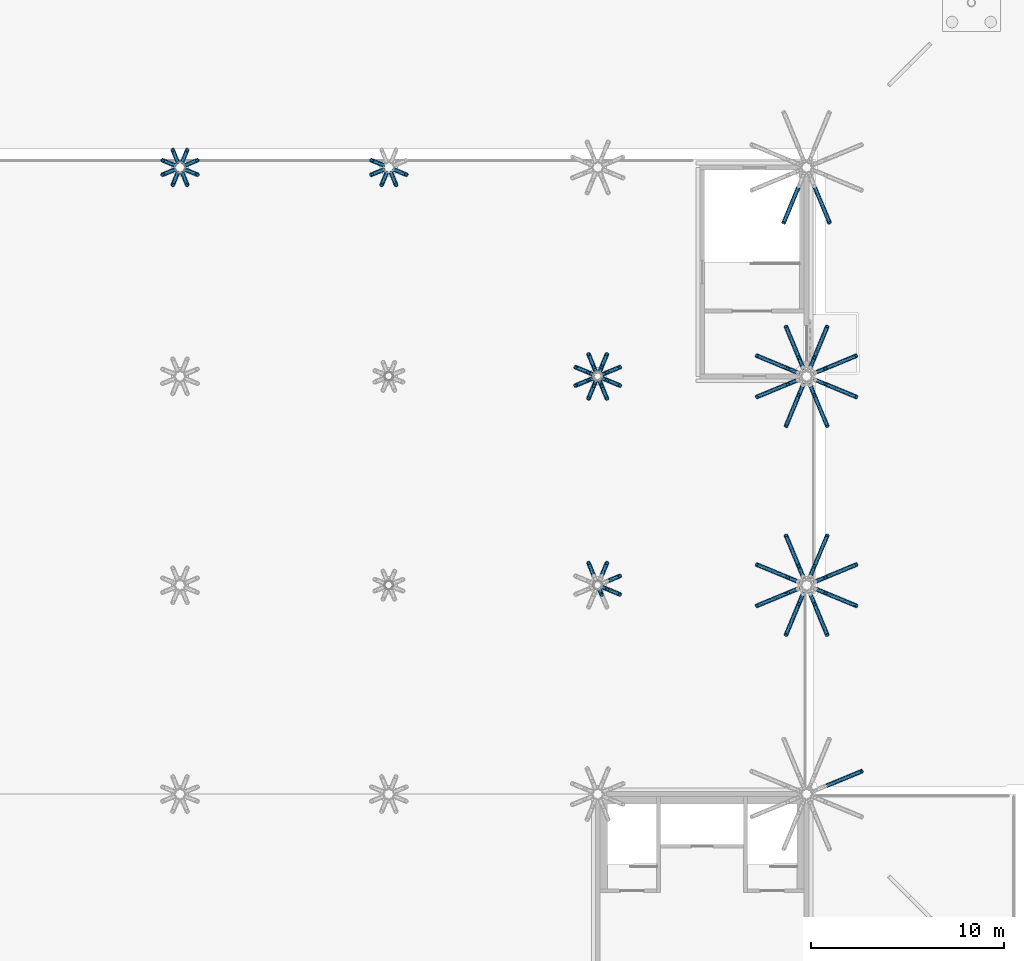
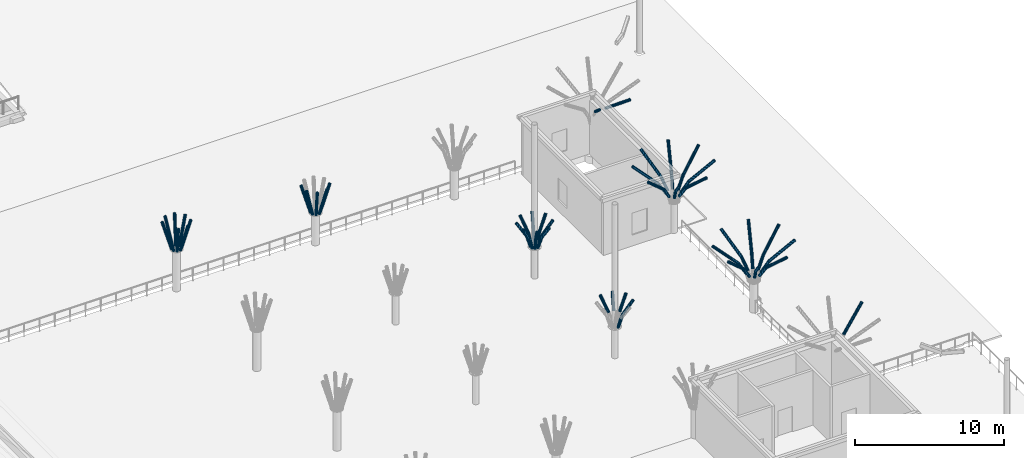
# One storey, part 26 of 91: 70 members.
"""IFC4 building model written with IfcOpenShell, lengths in metres."""

import ifcopenshell
import ifcopenshell.guid

model = None  # the IFC model being written
_history = None  # IfcOwnerHistory: only IFC2X3 demands one
_inside = {}  # id of a spatial element -> (the spatial element, [elements in it])
_under = {}  # id of a project, library or spatial element -> (it, [spatial elements below it])
_declared = {}  # id of a project -> (the project, [libraries it declares])
_typed = {}  # id of a type object -> (the type object, [elements of that type])
_made_of = {}  # id of a material, layer set ... -> (it, [elements and type objects made of it])


def new_model(schema):
    """Start an empty IFC model of exactly this schema.

    Asked for "IFC4X3", IfcOpenShell would pick the latest addendum, in which some entities
    have other attributes; the version numbers below select the first issue.
    IFC2X3 requires an IfcOwnerHistory on every rooted entity: one is made here for all.
    """
    global model, _history
    if schema == "IFC4X3":
        model = ifcopenshell.file(schema_version=(4, 3, 0, 0))
    else:
        model = ifcopenshell.file(schema=schema)
    _inside.clear()
    _under.clear()
    _declared.clear()
    _typed.clear()
    _made_of.clear()
    _history = None
    if model.schema == "IFC2X3":
        org = make("IfcOrganization", Name="unknown")
        user = make(
            "IfcPersonAndOrganization",
            ThePerson=make("IfcPerson", FamilyName="unknown"),
            TheOrganization=org,
        )
        app = make(
            "IfcApplication",
            ApplicationDeveloper=org,
            Version="unknown",
            ApplicationFullName="unknown",
            ApplicationIdentifier="unknown",
        )
        _history = make(
            "IfcOwnerHistory",
            OwningUser=user,
            OwningApplication=app,
            ChangeAction="ADDED",
            CreationDate=0,
        )
    return model


def make(cls, **values):
    """One entity of the class cls with the attributes given. An attribute that is None is left unset."""
    return model.create_entity(
        cls, **{name: value for name, value in values.items() if value is not None}
    )


def rooted(cls, **values):
    """An entity with a GlobalId (a new one), such as an element, a storey or a relation."""
    return make(cls, GlobalId=ifcopenshell.guid.new(), OwnerHistory=_history, **values)


def si_unit(unit_type, name, prefix=None):
    """IfcSIUnit, for example si_unit("LENGTHUNIT", "METRE", prefix="MILLI")."""
    return make("IfcSIUnit", UnitType=unit_type, Prefix=prefix, Name=name)


def assignment(units):
    """IfcUnitAssignment: the units of a project."""
    return None if units is None else make("IfcUnitAssignment", Units=units)


def point(xyz):
    """IfcCartesianPoint."""
    return None if xyz is None else make("IfcCartesianPoint", Coordinates=xyz)


def direction(xyz):
    """IfcDirection."""
    return None if xyz is None else make("IfcDirection", DirectionRatios=xyz)


def frame(location, z_axis=None, x_axis=None):
    """IfcAxis2Placement3D, a coordinate frame: its origin and axes. An axis left out is left unset."""
    return make(
        "IfcAxis2Placement3D",
        Location=point(location),
        Axis=direction(z_axis),
        RefDirection=direction(x_axis),
    )


def frame_2d(location, x_axis=None):
    """IfcAxis2Placement2D, a coordinate frame in the plane: its origin and x axis."""
    return make(
        "IfcAxis2Placement2D", Location=point(location), RefDirection=direction(x_axis)
    )


def origin():
    """The frame at (0, 0, 0) with its axes left unset."""
    return frame((0.0, 0.0, 0.0))


def origin_2d():
    """The frame at (0, 0) in the plane with its x axis left unset."""
    return frame_2d((0.0, 0.0))


def place(relative_to, where):
    """IfcLocalPlacement: puts the frame where relative to a parent placement (None: the world)."""
    return make(
        "IfcLocalPlacement", PlacementRelTo=relative_to, RelativePlacement=where
    )


def context(
    kind, dimensions, precision=None, world=None, true_north=None, identifier=None
):
    """IfcGeometricRepresentationContext, for example the 3D "Model" context."""
    return make(
        "IfcGeometricRepresentationContext",
        ContextIdentifier=identifier,
        ContextType=kind,
        CoordinateSpaceDimension=dimensions,
        Precision=precision,
        WorldCoordinateSystem=world,
        TrueNorth=true_north,
    )


def subcontext(parent, identifier, kind, view, scale=None):
    """IfcGeometricRepresentationSubContext, for example "Body" below "Model"."""
    return make(
        "IfcGeometricRepresentationSubContext",
        ContextIdentifier=identifier,
        ContextType=kind,
        ParentContext=parent,
        TargetScale=scale,
        TargetView=view,
    )


def project(units=None, contexts=None):
    """IfcProject with its units and contexts."""
    return rooted(
        "IfcProject",
        Name="project",
        RepresentationContexts=contexts,
        UnitsInContext=assignment(units),
    )


def spatial(cls, under=None, at=None, **own):
    """A site, building, storey or space (cls), placed at a placement, below another one or the project."""
    s = rooted(cls, ObjectPlacement=at, **own)
    if under is not None:
        _under.setdefault(under.id(), (under, []))[1].append(s)
    return s


def profile(cls, at=None, kind="AREA", **sizes):
    """A parametric profile (cls). Its sizes go by their IFC names, for example OverallWidth=200.0."""
    return make(cls, ProfileType=kind, Position=at, **sizes)


def hollow_circle(**sizes):
    """IfcCircleHollowProfileDef."""
    return profile("IfcCircleHollowProfileDef", **sizes)


def extrude(swept, where, along, depth):
    """IfcExtrudedAreaSolid: the profile swept, set in the frame where, extruded along a direction by depth."""
    return make(
        "IfcExtrudedAreaSolid",
        SweptArea=swept,
        Position=where,
        ExtrudedDirection=direction(along),
        Depth=depth,
    )


def shape(context_of_items, identifier, shape_type, items):
    """IfcShapeRepresentation: the items that make up one representation, for example the "Body"."""
    return make(
        "IfcShapeRepresentation",
        ContextOfItems=context_of_items,
        RepresentationIdentifier=identifier,
        RepresentationType=shape_type,
        Items=items,
    )


def material(Name=None, Category=None):
    """IfcMaterial."""
    return make("IfcMaterial", Name=Name, Category=Category)


def material_profile(
    of_material, cross_section, Name=None, Category=None, Priority=None
):
    """IfcMaterialProfile: a cross section and its material."""
    return make(
        "IfcMaterialProfile",
        Name=Name,
        Material=of_material,
        Profile=cross_section,
        Priority=Priority,
        Category=Category,
    )


def profile_set(profiles, Name=None, composite=None):
    """IfcMaterialProfileSet."""
    return make(
        "IfcMaterialProfileSet",
        Name=Name,
        MaterialProfiles=profiles,
        CompositeProfile=composite,
    )


def made_of(thing, what):
    """Note that an element or type object is made of a material, layer set ...; save() writes the relation."""
    if what is not None:
        _made_of.setdefault(what.id(), (what, []))[1].append(thing)
    return thing


def type_object(cls, material=None, **own):
    """A type object (cls), such as IfcWallType, which elements share."""
    return made_of(rooted(cls, **own), material)


def element(
    cls,
    number,
    at=None,
    inside=None,
    cuts=None,
    type_object=None,
    material=None,
    context=None,
    identifier="Body",
    shape_type=None,
    held_by="IfcProductDefinitionShape",
    body=None,
    shapes=None,
    **own,
):
    """One element of the class cls, such as IfcWall. Its Tag is "e" and its number.

    at: its placement. inside: the storey or other place that contains it. cuts: it is an
    opening in that element (IfcRelVoidsElement). A single representation is given by context,
    identifier, shape_type and body (its items); several are given by shapes. held_by: the class
    of the entity that holds the representations. save() writes the other relations.
    """
    e = rooted(cls, Tag="e%d" % number, ObjectPlacement=at, **own)
    if body is not None:
        shapes = [shape(context, identifier, shape_type, body)]
    if shapes is not None:
        e.Representation = make(held_by, Representations=shapes)
    if inside is not None:
        _inside.setdefault(inside.id(), (inside, []))[1].append(e)
    if cuts is not None:
        rooted(
            "IfcRelVoidsElement", RelatingBuildingElement=cuts, RelatedOpeningElement=e
        )
    if type_object is not None:
        _typed.setdefault(type_object.id(), (type_object, []))[1].append(e)
    return made_of(e, material)


def aggregate(whole, parts):
    """IfcRelAggregates: a whole, such as a stair, and the parts it consists of."""
    return rooted("IfcRelAggregates", RelatingObject=whole, RelatedObjects=parts)


def save(model, path):
    """Write the relations noted so far, then the file.

    IfcRelAggregates (storeys below a building ...), IfcRelContainedInSpatialStructure (elements
    in a storey), IfcRelDefinesByType, IfcRelAssociatesMaterial and IfcRelDeclares: one each for
    every whole, place, type object, material and project.
    """
    for whole, parts in _under.values():
        aggregate(whole, parts)
    for where, things in _inside.values():
        rooted(
            "IfcRelContainedInSpatialStructure",
            RelatedElements=things,
            RelatingStructure=where,
        )
    for kind, things in _typed.values():
        rooted("IfcRelDefinesByType", RelatedObjects=things, RelatingType=kind)
    for what, things in _made_of.values():
        rooted("IfcRelAssociatesMaterial", RelatedObjects=things, RelatingMaterial=what)
    for by, libraries in _declared.values():
        rooted("IfcRelDeclares", RelatingContext=by, RelatedDefinitions=libraries)
    model.write(path)


model = new_model("IFC4")

# Units and contexts
model_context = context("Model", 3, precision=1e-05, world=origin(), true_north=direction((0.0, 1.0)))
body_context = subcontext(model_context, "Body", "Model", "MODEL_VIEW")
ifc_project = project(units=[si_unit("LENGTHUNIT", "METRE"), si_unit("AREAUNIT", "SQUARE_METRE"), si_unit("VOLUMEUNIT", "CUBIC_METRE"), si_unit("PLANEANGLEUNIT", "RADIAN"), si_unit("MASSUNIT", "GRAM", prefix="KILO")], contexts=[model_context])

# Site, building, storey
site_placement = place(None, origin())
site = spatial("IfcSite", under=ifc_project, at=site_placement, CompositionType="ELEMENT")
building_placement = place(site_placement, origin())
building = spatial("IfcBuilding", under=site, at=building_placement, Name="Magnolia Steps Interchange", CompositionType="ELEMENT")
storey_placement = place(building_placement, origin())
storey = spatial("IfcBuildingStorey", under=building, at=storey_placement, Name="L00", CompositionType="ELEMENT", Elevation=0.0)

# Members
ifc_material = material(Name="Steel Q355B", Category="steel")
ifc_material_profile = material_profile(ifc_material, hollow_circle(Radius=0.109619140625, WallThickness=0.010009765625, at=origin_2d()), Name="CHS219x10")
ifc_profile_set = profile_set([ifc_material_profile], Name="Steel Q355B")
member_type = type_object("IfcMemberType", Name="Tree rib CHS219x10", PredefinedType="USERDEFINED", material=ifc_profile_set)
for number, where, z_axis, x_axis, name in (
    (1, (150.6953125, 74.92236328125, 3.351318359375), (0.254642214309, 0.105422495038, 0.961271782709), (-0.382516917404, 0.923948487688, 0.0), "Tree rib TC01D"),
    (2, (150.522216796875, 75.09521484375, 3.351318359375), (0.105524400356, 0.254639446561, 0.96126133449), (-0.923816299568, 0.382836054536, 0.0), "Tree rib TC01D"),
    (3, (150.277587890625, 75.09521484375, 3.351318359375), (-0.105422495038, 0.254642214309, 0.961271782709), (-0.923948487688, -0.382516917404, 0.0), "Tree rib TC01D"),
    (4, (150.104736328125, 74.92236328125, 3.351318359375), (-0.254642214309, 0.105422495038, 0.961271782709), (-0.382516917404, -0.923948487688, 0.0), "Tree rib TC01D"),
    (5, (150.104736328125, 74.677734375, 3.351318359375), (-0.254639446561, -0.105524400356, 0.96126133449), (0.382836054536, -0.923816299568, 0.0), "Tree rib TC01D"),
    (6, (150.277587890625, 74.5048828125, 3.351318359375), (-0.105422495038, -0.254642214309, 0.961271782709), (0.923948487688, -0.382516917404, 0.0), "Tree rib TC01D"),
    (7, (150.522216796875, 74.5048828125, 3.351318359375), (0.105524400356, -0.254639446561, 0.96126133449), (0.923816299568, 0.382836054536, 0.0), "Tree rib TC01D"),
    (8, (150.6953125, 74.677734375, 3.351318359375), (0.254639446561, -0.105524400356, 0.96126133449), (0.382836054536, 0.923816299568, 0.0), "Tree rib TC01D"),
):
    element("IfcMember", number, at=place(storey_placement, frame(where, z_axis=z_axis, x_axis=x_axis)), inside=storey, type_object=member_type, Name=name, ObjectType="TREE RIB", PredefinedType="USERDEFINED", context=body_context, shape_type="SweptSolid", body=[
        extrude(hollow_circle(Radius=0.109619140625, WallThickness=0.010009765625, at=origin_2d()), origin(), (0.0, 0.0, 1.0), 2.369140625),
    ])
for number, where, z_axis, x_axis, name in (
    (9, (160.90478515625, 74.92236328125, 2.563720703125), (-0.254616991526, 0.105412052744, 0.961279609043), (-0.382516917404, -0.923948487688, 0.0), "Tree rib TC02D"),
    (10, (160.90478515625, 74.677734375, 2.563720703125), (-0.254614224601, -0.105513948196, 0.961269162809), (0.382836054536, -0.923816299568, 0.0), "Tree rib TC02D"),
    (11, (161.07763671875, 74.5048828125, 2.563720703125), (-0.105412052744, -0.254616991526, 0.961279609043), (0.923948487688, -0.382516917404, 0.0), "Tree rib TC02D"),
    (12, (161.322265625, 74.5048828125, 2.563720703125), (0.105513948196, -0.254614224601, 0.961269162809), (0.923816299568, 0.382836054536, 0.0), "Tree rib TC02D"),
    (13, (161.4951171875, 74.677734375, 2.563720703125), (0.254614224601, -0.105513948196, 0.961269162809), (0.382836054536, 0.923816299568, 0.0), "Tree rib TC02D"),
):
    element("IfcMember", number, at=place(storey_placement, frame(where, z_axis=z_axis, x_axis=x_axis)), inside=storey, type_object=member_type, Name=name, ObjectType="TREE RIB", PredefinedType="USERDEFINED", context=body_context, shape_type="SweptSolid", body=[
        extrude(hollow_circle(Radius=0.109619140625, WallThickness=0.010009765625, at=origin_2d()), origin(), (0.0, 0.0, 1.0), 2.369384765625),
    ])
for number, where, z_axis, x_axis, name in (
    (14, (172.484619140625, 53.400634765625, 3.41259765625), (0.489529713984, 0.202756335046, 0.848086391664), (-0.382661666176, 0.923888548062, 0.0), "Tree rib TC03B"),
    (15, (172.20068359375, 53.6845703125, 3.41259765625), (0.202756335046, 0.489529713984, 0.848086391664), (-0.923888548062, 0.382661666176, 0.0), "Tree rib TC03B"),
    (16, (171.79931640625, 53.6845703125, 3.41259765625), (-0.202756335046, 0.489529713984, 0.848086391664), (-0.923888548062, -0.382661666176, 0.0), "Tree rib TC03B"),
):
    element("IfcMember", number, at=place(storey_placement, frame(where, z_axis=z_axis, x_axis=x_axis)), inside=storey, type_object=member_type, Name=name, ObjectType="TREE RIB", PredefinedType="USERDEFINED", context=body_context, shape_type="SweptSolid", body=[
        extrude(hollow_circle(Radius=0.109619140625, WallThickness=0.010009765625, at=origin_2d()), origin(), (0.0, 0.0, 1.0), 1.35693359375),
    ])
for number, where, z_axis, x_axis, name in (
    (17, (172.102783203125, 52.951904296875, 2.52001953125), (0.105438143135, -0.254523996397, 0.96130137482), (0.923865605463, 0.382717053503, 0.0), "Tree rib TC03B"),
    (18, (172.248046875, 53.09716796875, 2.52001953125), (0.254769875946, -0.105431083854, 0.961237013888), (0.382379867075, 0.924005214951, 0.0), "Tree rib TC03B"),
):
    element("IfcMember", number, at=place(storey_placement, frame(where, z_axis=z_axis, x_axis=x_axis)), inside=storey, type_object=member_type, Name=name, ObjectType="TREE RIB", PredefinedType="USERDEFINED", context=body_context, shape_type="SweptSolid", body=[
        extrude(hollow_circle(Radius=0.109619140625, WallThickness=0.010009765625, at=origin_2d()), origin(), (0.0, 0.0, 1.0), 0.928466796875),
    ])
member_1_placement = place(storey_placement, frame((172.484619140625, 52.999267578125, 3.41259765625), z_axis=(0.489529713984, -0.202756335046, 0.848086391664), x_axis=(0.382661666176, 0.923888548062, 0.0)))
element("IfcMember", 19, at=member_1_placement, inside=storey, type_object=member_type, Name="Tree rib TC03B", ObjectType="TREE RIB", PredefinedType="USERDEFINED", context=body_context, shape_type="SweptSolid", body=[
    extrude(hollow_circle(Radius=0.109619140625, WallThickness=0.010009765625, at=origin_2d()), origin(), (0.0, 0.0, 1.0), 1.35693359375),
])
member_2_placement = place(storey_placement, frame((172.248046875, 64.102783203125, 2.52001953125), z_axis=(0.254769875946, 0.105431083854, 0.961237013888), x_axis=(-0.382379867075, 0.924005214951, 0.0)))
element("IfcMember", 20, at=member_2_placement, inside=storey, type_object=member_type, Name="Tree rib TC03C", ObjectType="TREE RIB", PredefinedType="USERDEFINED", context=body_context, shape_type="SweptSolid", body=[
    extrude(hollow_circle(Radius=0.109619140625, WallThickness=0.010009765625, at=origin_2d()), origin(), (0.0, 0.0, 1.0), 0.928466796875),
])
member_3_placement = place(storey_placement, frame((172.484619140625, 64.20068359375, 3.41259765625), z_axis=(0.489529713984, 0.202756335046, 0.848086391664), x_axis=(-0.382661666176, 0.923888548062, 0.0)))
element("IfcMember", 21, at=member_3_placement, inside=storey, type_object=member_type, Name="Tree rib TC03C", ObjectType="TREE RIB", PredefinedType="USERDEFINED", context=body_context, shape_type="SweptSolid", body=[
    extrude(hollow_circle(Radius=0.109619140625, WallThickness=0.010009765625, at=origin_2d()), origin(), (0.0, 0.0, 1.0), 1.35693359375),
])
member_4_placement = place(storey_placement, frame((172.102783203125, 64.248046875, 2.52001953125), z_axis=(0.105431083854, 0.254769875946, 0.961237013888), x_axis=(-0.924005214951, 0.382379867075, 0.0)))
element("IfcMember", 22, at=member_4_placement, inside=storey, type_object=member_type, Name="Tree rib TC03C", ObjectType="TREE RIB", PredefinedType="USERDEFINED", context=body_context, shape_type="SweptSolid", body=[
    extrude(hollow_circle(Radius=0.109619140625, WallThickness=0.010009765625, at=origin_2d()), origin(), (0.0, 0.0, 1.0), 0.928466796875),
])
member_5_placement = place(storey_placement, frame((172.20068359375, 64.484619140625, 3.41259765625), z_axis=(0.202756335046, 0.489529713984, 0.848086391664), x_axis=(-0.923888548062, 0.382661666176, 0.0)))
element("IfcMember", 23, at=member_5_placement, inside=storey, type_object=member_type, Name="Tree rib TC03C", ObjectType="TREE RIB", PredefinedType="USERDEFINED", context=body_context, shape_type="SweptSolid", body=[
    extrude(hollow_circle(Radius=0.109619140625, WallThickness=0.010009765625, at=origin_2d()), origin(), (0.0, 0.0, 1.0), 1.35693359375),
])
member_6_placement = place(storey_placement, frame((171.897216796875, 64.248046875, 2.52001953125), z_axis=(-0.105431083854, 0.254769875946, 0.961237013888), x_axis=(-0.924005214951, -0.382379867075, 0.0)))
element("IfcMember", 24, at=member_6_placement, inside=storey, type_object=member_type, Name="Tree rib TC03C", ObjectType="TREE RIB", PredefinedType="USERDEFINED", context=body_context, shape_type="SweptSolid", body=[
    extrude(hollow_circle(Radius=0.109619140625, WallThickness=0.010009765625, at=origin_2d()), origin(), (0.0, 0.0, 1.0), 0.928466796875),
])
member_7_placement = place(storey_placement, frame((171.79931640625, 64.484619140625, 3.41259765625), z_axis=(-0.202756335046, 0.489529713984, 0.848086391664), x_axis=(-0.923888548062, -0.382661666176, 0.0)))
element("IfcMember", 25, at=member_7_placement, inside=storey, type_object=member_type, Name="Tree rib TC03C", ObjectType="TREE RIB", PredefinedType="USERDEFINED", context=body_context, shape_type="SweptSolid", body=[
    extrude(hollow_circle(Radius=0.109619140625, WallThickness=0.010009765625, at=origin_2d()), origin(), (0.0, 0.0, 1.0), 1.35693359375),
])
member_8_placement = place(storey_placement, frame((171.751953125, 64.102783203125, 2.52001953125), z_axis=(-0.254769875946, 0.105431083854, 0.961237013888), x_axis=(-0.382379867075, -0.924005214951, 0.0)))
element("IfcMember", 26, at=member_8_placement, inside=storey, type_object=member_type, Name="Tree rib TC03C", ObjectType="TREE RIB", PredefinedType="USERDEFINED", context=body_context, shape_type="SweptSolid", body=[
    extrude(hollow_circle(Radius=0.109619140625, WallThickness=0.010009765625, at=origin_2d()), origin(), (0.0, 0.0, 1.0), 0.928466796875),
])
member_9_placement = place(storey_placement, frame((171.515380859375, 64.20068359375, 3.41259765625), z_axis=(-0.489529713984, 0.202756335046, 0.848086391664), x_axis=(-0.382661666176, -0.923888548062, 0.0)))
element("IfcMember", 27, at=member_9_placement, inside=storey, type_object=member_type, Name="Tree rib TC03C", ObjectType="TREE RIB", PredefinedType="USERDEFINED", context=body_context, shape_type="SweptSolid", body=[
    extrude(hollow_circle(Radius=0.109619140625, WallThickness=0.010009765625, at=origin_2d()), origin(), (0.0, 0.0, 1.0), 1.35693359375),
])
member_10_placement = place(storey_placement, frame((171.751953125, 63.897216796875, 2.52001953125), z_axis=(-0.254769875946, -0.105431083854, 0.961237013888), x_axis=(0.382379867075, -0.924005214951, 0.0)))
element("IfcMember", 28, at=member_10_placement, inside=storey, type_object=member_type, Name="Tree rib TC03C", ObjectType="TREE RIB", PredefinedType="USERDEFINED", context=body_context, shape_type="SweptSolid", body=[
    extrude(hollow_circle(Radius=0.109619140625, WallThickness=0.010009765625, at=origin_2d()), origin(), (0.0, 0.0, 1.0), 0.928466796875),
])
member_11_placement = place(storey_placement, frame((171.515380859375, 63.79931640625, 3.41259765625), z_axis=(-0.489529713984, -0.202756335046, 0.848086391664), x_axis=(0.382661666176, -0.923888548062, 0.0)))
element("IfcMember", 29, at=member_11_placement, inside=storey, type_object=member_type, Name="Tree rib TC03C", ObjectType="TREE RIB", PredefinedType="USERDEFINED", context=body_context, shape_type="SweptSolid", body=[
    extrude(hollow_circle(Radius=0.109619140625, WallThickness=0.010009765625, at=origin_2d()), origin(), (0.0, 0.0, 1.0), 1.35693359375),
])
member_12_placement = place(storey_placement, frame((171.897216796875, 63.751953125, 2.52001953125), z_axis=(-0.105431083854, -0.254769875946, 0.961237013888), x_axis=(0.924005214951, -0.382379867075, 0.0)))
element("IfcMember", 30, at=member_12_placement, inside=storey, type_object=member_type, Name="Tree rib TC03C", ObjectType="TREE RIB", PredefinedType="USERDEFINED", context=body_context, shape_type="SweptSolid", body=[
    extrude(hollow_circle(Radius=0.109619140625, WallThickness=0.010009765625, at=origin_2d()), origin(), (0.0, 0.0, 1.0), 0.928466796875),
])
member_13_placement = place(storey_placement, frame((171.79931640625, 63.515380859375, 3.41259765625), z_axis=(-0.202756335046, -0.489529713984, 0.848086391664), x_axis=(0.923888548062, -0.382661666176, 0.0)))
element("IfcMember", 31, at=member_13_placement, inside=storey, type_object=member_type, Name="Tree rib TC03C", ObjectType="TREE RIB", PredefinedType="USERDEFINED", context=body_context, shape_type="SweptSolid", body=[
    extrude(hollow_circle(Radius=0.109619140625, WallThickness=0.010009765625, at=origin_2d()), origin(), (0.0, 0.0, 1.0), 1.35693359375),
])
member_14_placement = place(storey_placement, frame((172.102783203125, 63.751953125, 2.52001953125), z_axis=(0.105431083854, -0.254769875946, 0.961237013888), x_axis=(0.924005214951, 0.382379867075, 0.0)))
element("IfcMember", 32, at=member_14_placement, inside=storey, type_object=member_type, Name="Tree rib TC03C", ObjectType="TREE RIB", PredefinedType="USERDEFINED", context=body_context, shape_type="SweptSolid", body=[
    extrude(hollow_circle(Radius=0.109619140625, WallThickness=0.010009765625, at=origin_2d()), origin(), (0.0, 0.0, 1.0), 0.928466796875),
])
member_15_placement = place(storey_placement, frame((172.20068359375, 63.515380859375, 3.41259765625), z_axis=(0.202756335046, -0.489529713984, 0.848086391664), x_axis=(0.923888548062, 0.382661666176, 0.0)))
element("IfcMember", 33, at=member_15_placement, inside=storey, type_object=member_type, Name="Tree rib TC03C", ObjectType="TREE RIB", PredefinedType="USERDEFINED", context=body_context, shape_type="SweptSolid", body=[
    extrude(hollow_circle(Radius=0.109619140625, WallThickness=0.010009765625, at=origin_2d()), origin(), (0.0, 0.0, 1.0), 1.35693359375),
])
member_16_placement = place(storey_placement, frame((172.248046875, 63.897216796875, 2.52001953125), z_axis=(0.254769875946, -0.105431083854, 0.961237013888), x_axis=(0.382379867075, 0.924005214951, 0.0)))
element("IfcMember", 34, at=member_16_placement, inside=storey, type_object=member_type, Name="Tree rib TC03C", ObjectType="TREE RIB", PredefinedType="USERDEFINED", context=body_context, shape_type="SweptSolid", body=[
    extrude(hollow_circle(Radius=0.109619140625, WallThickness=0.010009765625, at=origin_2d()), origin(), (0.0, 0.0, 1.0), 0.928466796875),
])
member_17_placement = place(storey_placement, frame((172.484619140625, 63.79931640625, 3.41259765625), z_axis=(0.489529713984, -0.202756335046, 0.848086391664), x_axis=(0.382661666176, 0.923888548062, 0.0)))
element("IfcMember", 35, at=member_17_placement, inside=storey, type_object=member_type, Name="Tree rib TC03C", ObjectType="TREE RIB", PredefinedType="USERDEFINED", context=body_context, shape_type="SweptSolid", body=[
    extrude(hollow_circle(Radius=0.109619140625, WallThickness=0.010009765625, at=origin_2d()), origin(), (0.0, 0.0, 1.0), 1.35693359375),
])
member_18_placement = place(storey_placement, frame((183.77587890625, 42.80419921875, 4.011474609375), z_axis=(0.734897405832, 0.304354330344, 0.606048054615), x_axis=(-0.382629625512, 0.923901818204, 0.0)))
element("IfcMember", 36, at=member_18_placement, inside=storey, type_object=member_type, Name="Tree rib TC04A", ObjectType="TREE RIB", PredefinedType="USERDEFINED", context=body_context, shape_type="SweptSolid", body=[
    extrude(hollow_circle(Radius=0.109619140625, WallThickness=0.010009765625, at=origin_2d()), origin(), (0.0, 0.0, 1.0), 2.5693359375),
])
member_19_placement = place(storey_placement, frame((183.248046875, 53.385498046875, 3.0966796875), z_axis=(0.489382450029, 0.202815298439, 0.848157280416), x_axis=(-0.382854944576, 0.923808471175, 0.0)))
element("IfcMember", 37, at=member_19_placement, inside=storey, type_object=member_type, Name="Tree rib TC04B", ObjectType="TREE RIB", PredefinedType="USERDEFINED", context=body_context, shape_type="SweptSolid", body=[
    extrude(hollow_circle(Radius=0.109619140625, WallThickness=0.010009765625, at=origin_2d()), origin(), (0.0, 0.0, 1.0), 1.07861328125),
])
member_20_placement = place(storey_placement, frame((183.77587890625, 53.604248046875, 4.011474609375), z_axis=(0.68776747235, 0.284947193263, 0.667668331606), x_axis=(-0.382757473052, 0.923848860379, 0.0)))
element("IfcMember", 38, at=member_20_placement, inside=storey, type_object=member_type, Name="Tree rib TC04B", ObjectType="TREE RIB", PredefinedType="USERDEFINED", context=body_context, shape_type="SweptSolid", body=[
    extrude(hollow_circle(Radius=0.109619140625, WallThickness=0.010009765625, at=origin_2d()), origin(), (0.0, 0.0, 1.0), 2.332275390625),
])
member_21_placement = place(storey_placement, frame((182.985595703125, 53.64794921875, 3.0966796875), z_axis=(0.202792830148, 0.489554566528, 0.848063319825), x_axis=(-0.923871065891, 0.382703871955, 0.0)))
element("IfcMember", 39, at=member_21_placement, inside=storey, type_object=member_type, Name="Tree rib TC04B", ObjectType="TREE RIB", PredefinedType="USERDEFINED", context=body_context, shape_type="SweptSolid", body=[
    extrude(hollow_circle(Radius=0.109619140625, WallThickness=0.010009765625, at=origin_2d()), origin(), (0.0, 0.0, 1.0), 1.07861328125),
])
member_22_placement = place(storey_placement, frame((183.204345703125, 54.176025390625, 4.011474609375), z_axis=(0.284851005663, 0.687787985007, 0.667688244806), x_axis=(-0.923898578583, 0.382637447843, 0.0)))
element("IfcMember", 40, at=member_22_placement, inside=storey, type_object=member_type, Name="Tree rib TC04B", ObjectType="TREE RIB", PredefinedType="USERDEFINED", context=body_context, shape_type="SweptSolid", body=[
    extrude(hollow_circle(Radius=0.109619140625, WallThickness=0.010009765625, at=origin_2d()), origin(), (0.0, 0.0, 1.0), 2.33203125),
])
member_23_placement = place(storey_placement, frame((182.614501953125, 53.64794921875, 3.0966796875), z_axis=(-0.202792830148, 0.489554566528, 0.848063319825), x_axis=(-0.923871065891, -0.382703871955, 0.0)))
element("IfcMember", 41, at=member_23_placement, inside=storey, type_object=member_type, Name="Tree rib TC04B", ObjectType="TREE RIB", PredefinedType="USERDEFINED", context=body_context, shape_type="SweptSolid", body=[
    extrude(hollow_circle(Radius=0.109619140625, WallThickness=0.010009765625, at=origin_2d()), origin(), (0.0, 0.0, 1.0), 1.07861328125),
])
member_24_placement = place(storey_placement, frame((182.395751953125, 54.176025390625, 4.011474609375), z_axis=(-0.284947193263, 0.68776747235, 0.667668331606), x_axis=(-0.923848860379, -0.382757473052, 0.0)))
element("IfcMember", 42, at=member_24_placement, inside=storey, type_object=member_type, Name="Tree rib TC04B", ObjectType="TREE RIB", PredefinedType="USERDEFINED", context=body_context, shape_type="SweptSolid", body=[
    extrude(hollow_circle(Radius=0.109619140625, WallThickness=0.010009765625, at=origin_2d()), origin(), (0.0, 0.0, 1.0), 2.332275390625),
])
member_25_placement = place(storey_placement, frame((182.35205078125, 53.385498046875, 3.0966796875), z_axis=(-0.489554566528, 0.202792830148, 0.848063319825), x_axis=(-0.382703871955, -0.923871065891, 0.0)))
element("IfcMember", 43, at=member_25_placement, inside=storey, type_object=member_type, Name="Tree rib TC04B", ObjectType="TREE RIB", PredefinedType="USERDEFINED", context=body_context, shape_type="SweptSolid", body=[
    extrude(hollow_circle(Radius=0.109619140625, WallThickness=0.010009765625, at=origin_2d()), origin(), (0.0, 0.0, 1.0), 1.07861328125),
])
member_26_placement = place(storey_placement, frame((181.823974609375, 53.604248046875, 4.011474609375), z_axis=(-0.68776747235, 0.284947193263, 0.667668331606), x_axis=(-0.382757473052, -0.923848860379, 0.0)))
element("IfcMember", 44, at=member_26_placement, inside=storey, type_object=member_type, Name="Tree rib TC04B", ObjectType="TREE RIB", PredefinedType="USERDEFINED", context=body_context, shape_type="SweptSolid", body=[
    extrude(hollow_circle(Radius=0.109619140625, WallThickness=0.010009765625, at=origin_2d()), origin(), (0.0, 0.0, 1.0), 2.332275390625),
])
member_27_placement = place(storey_placement, frame((182.35205078125, 53.014404296875, 3.0966796875), z_axis=(-0.489554566528, -0.202792830148, 0.848063319825), x_axis=(0.382703871955, -0.923871065891, 0.0)))
element("IfcMember", 45, at=member_27_placement, inside=storey, type_object=member_type, Name="Tree rib TC04B", ObjectType="TREE RIB", PredefinedType="USERDEFINED", context=body_context, shape_type="SweptSolid", body=[
    extrude(hollow_circle(Radius=0.109619140625, WallThickness=0.010009765625, at=origin_2d()), origin(), (0.0, 0.0, 1.0), 1.07861328125),
])
member_28_placement = place(storey_placement, frame((181.823974609375, 52.795654296875, 4.011474609375), z_axis=(-0.687787985007, -0.284851005663, 0.667688244806), x_axis=(0.382637447843, -0.923898578583, 0.0)))
element("IfcMember", 46, at=member_28_placement, inside=storey, type_object=member_type, Name="Tree rib TC04B", ObjectType="TREE RIB", PredefinedType="USERDEFINED", context=body_context, shape_type="SweptSolid", body=[
    extrude(hollow_circle(Radius=0.109619140625, WallThickness=0.010009765625, at=origin_2d()), origin(), (0.0, 0.0, 1.0), 2.33203125),
])
member_29_placement = place(storey_placement, frame((182.614501953125, 52.751953125, 3.0966796875), z_axis=(-0.202815298439, -0.489382450029, 0.848157280416), x_axis=(0.923808471175, -0.382854944576, 0.0)))
element("IfcMember", 47, at=member_29_placement, inside=storey, type_object=member_type, Name="Tree rib TC04B", ObjectType="TREE RIB", PredefinedType="USERDEFINED", context=body_context, shape_type="SweptSolid", body=[
    extrude(hollow_circle(Radius=0.109619140625, WallThickness=0.010009765625, at=origin_2d()), origin(), (0.0, 0.0, 1.0), 1.07861328125),
])
member_30_placement = place(storey_placement, frame((182.395751953125, 52.22412109375, 4.011474609375), z_axis=(-0.284947193263, -0.68776747235, 0.667668331606), x_axis=(0.923848860379, -0.382757473052, 0.0)))
element("IfcMember", 48, at=member_30_placement, inside=storey, type_object=member_type, Name="Tree rib TC04B", ObjectType="TREE RIB", PredefinedType="USERDEFINED", context=body_context, shape_type="SweptSolid", body=[
    extrude(hollow_circle(Radius=0.109619140625, WallThickness=0.010009765625, at=origin_2d()), origin(), (0.0, 0.0, 1.0), 2.332275390625),
])
member_31_placement = place(storey_placement, frame((182.985595703125, 52.751953125, 3.0966796875), z_axis=(0.202815298439, -0.489382450029, 0.848157280416), x_axis=(0.923808471175, 0.382854944576, 0.0)))
element("IfcMember", 49, at=member_31_placement, inside=storey, type_object=member_type, Name="Tree rib TC04B", ObjectType="TREE RIB", PredefinedType="USERDEFINED", context=body_context, shape_type="SweptSolid", body=[
    extrude(hollow_circle(Radius=0.109619140625, WallThickness=0.010009765625, at=origin_2d()), origin(), (0.0, 0.0, 1.0), 1.07861328125),
])
member_32_placement = place(storey_placement, frame((183.204345703125, 52.22412109375, 4.011474609375), z_axis=(0.284851005663, -0.687787985007, 0.667688244806), x_axis=(0.923898578583, 0.382637447843, 0.0)))
element("IfcMember", 50, at=member_32_placement, inside=storey, type_object=member_type, Name="Tree rib TC04B", ObjectType="TREE RIB", PredefinedType="USERDEFINED", context=body_context, shape_type="SweptSolid", body=[
    extrude(hollow_circle(Radius=0.109619140625, WallThickness=0.010009765625, at=origin_2d()), origin(), (0.0, 0.0, 1.0), 2.33203125),
])
member_33_placement = place(storey_placement, frame((183.248046875, 53.014404296875, 3.0966796875), z_axis=(0.489382450029, -0.202815298439, 0.848157280416), x_axis=(0.382854944576, 0.923808471175, 0.0)))
element("IfcMember", 51, at=member_33_placement, inside=storey, type_object=member_type, Name="Tree rib TC04B", ObjectType="TREE RIB", PredefinedType="USERDEFINED", context=body_context, shape_type="SweptSolid", body=[
    extrude(hollow_circle(Radius=0.109619140625, WallThickness=0.010009765625, at=origin_2d()), origin(), (0.0, 0.0, 1.0), 1.07861328125),
])
member_34_placement = place(storey_placement, frame((183.77587890625, 52.795654296875, 4.011474609375), z_axis=(0.687787985007, -0.284851005663, 0.667688244806), x_axis=(0.382637447843, 0.923898578583, 0.0)))
element("IfcMember", 52, at=member_34_placement, inside=storey, type_object=member_type, Name="Tree rib TC04B", ObjectType="TREE RIB", PredefinedType="USERDEFINED", context=body_context, shape_type="SweptSolid", body=[
    extrude(hollow_circle(Radius=0.109619140625, WallThickness=0.010009765625, at=origin_2d()), origin(), (0.0, 0.0, 1.0), 2.33203125),
])
member_35_placement = place(storey_placement, frame((183.248046875, 64.185546875, 3.0966796875), z_axis=(0.489382450029, 0.202815298439, 0.848157280416), x_axis=(-0.382854944576, 0.923808471175, 0.0)))
element("IfcMember", 53, at=member_35_placement, inside=storey, type_object=member_type, Name="Tree rib TC04C", ObjectType="TREE RIB", PredefinedType="USERDEFINED", context=body_context, shape_type="SweptSolid", body=[
    extrude(hollow_circle(Radius=0.109619140625, WallThickness=0.010009765625, at=origin_2d()), origin(), (0.0, 0.0, 1.0), 1.07861328125),
])
member_36_placement = place(storey_placement, frame((183.77587890625, 64.404296875, 4.011474609375), z_axis=(0.687787985007, 0.284851005663, 0.667688244806), x_axis=(-0.382637447843, 0.923898578583, 0.0)))
element("IfcMember", 54, at=member_36_placement, inside=storey, type_object=member_type, Name="Tree rib TC04C", ObjectType="TREE RIB", PredefinedType="USERDEFINED", context=body_context, shape_type="SweptSolid", body=[
    extrude(hollow_circle(Radius=0.109619140625, WallThickness=0.010009765625, at=origin_2d()), origin(), (0.0, 0.0, 1.0), 2.33203125),
])
member_37_placement = place(storey_placement, frame((182.985595703125, 64.447998046875, 3.0966796875), z_axis=(0.202792830148, 0.489554566528, 0.848063319825), x_axis=(-0.923871065891, 0.382703871955, 0.0)))
element("IfcMember", 55, at=member_37_placement, inside=storey, type_object=member_type, Name="Tree rib TC04C", ObjectType="TREE RIB", PredefinedType="USERDEFINED", context=body_context, shape_type="SweptSolid", body=[
    extrude(hollow_circle(Radius=0.109619140625, WallThickness=0.010009765625, at=origin_2d()), origin(), (0.0, 0.0, 1.0), 1.07861328125),
])
member_38_placement = place(storey_placement, frame((183.204345703125, 64.97607421875, 4.011474609375), z_axis=(0.284851005663, 0.687787985007, 0.667688244806), x_axis=(-0.923898578583, 0.382637447843, 0.0)))
element("IfcMember", 56, at=member_38_placement, inside=storey, type_object=member_type, Name="Tree rib TC04C", ObjectType="TREE RIB", PredefinedType="USERDEFINED", context=body_context, shape_type="SweptSolid", body=[
    extrude(hollow_circle(Radius=0.109619140625, WallThickness=0.010009765625, at=origin_2d()), origin(), (0.0, 0.0, 1.0), 2.33203125),
])
member_39_placement = place(storey_placement, frame((182.614501953125, 64.447998046875, 3.0966796875), z_axis=(-0.202792830148, 0.489554566528, 0.848063319825), x_axis=(-0.923871065891, -0.382703871955, 0.0)))
element("IfcMember", 57, at=member_39_placement, inside=storey, type_object=member_type, Name="Tree rib TC04C", ObjectType="TREE RIB", PredefinedType="USERDEFINED", context=body_context, shape_type="SweptSolid", body=[
    extrude(hollow_circle(Radius=0.109619140625, WallThickness=0.010009765625, at=origin_2d()), origin(), (0.0, 0.0, 1.0), 1.07861328125),
])
member_40_placement = place(storey_placement, frame((182.395751953125, 64.97607421875, 4.011474609375), z_axis=(-0.284947193263, 0.68776747235, 0.667668331606), x_axis=(-0.923848860379, -0.382757473052, 0.0)))
element("IfcMember", 58, at=member_40_placement, inside=storey, type_object=member_type, Name="Tree rib TC04C", ObjectType="TREE RIB", PredefinedType="USERDEFINED", context=body_context, shape_type="SweptSolid", body=[
    extrude(hollow_circle(Radius=0.109619140625, WallThickness=0.010009765625, at=origin_2d()), origin(), (0.0, 0.0, 1.0), 2.332275390625),
])
member_41_placement = place(storey_placement, frame((182.35205078125, 64.185546875, 3.0966796875), z_axis=(-0.489554566528, 0.202792830148, 0.848063319825), x_axis=(-0.382703871955, -0.923871065891, 0.0)))
element("IfcMember", 59, at=member_41_placement, inside=storey, type_object=member_type, Name="Tree rib TC04C", ObjectType="TREE RIB", PredefinedType="USERDEFINED", context=body_context, shape_type="SweptSolid", body=[
    extrude(hollow_circle(Radius=0.109619140625, WallThickness=0.010009765625, at=origin_2d()), origin(), (0.0, 0.0, 1.0), 1.07861328125),
])
member_42_placement = place(storey_placement, frame((181.823974609375, 64.404296875, 4.011474609375), z_axis=(-0.687787985007, 0.284851005663, 0.667688244806), x_axis=(-0.382637447843, -0.923898578583, 0.0)))
element("IfcMember", 60, at=member_42_placement, inside=storey, type_object=member_type, Name="Tree rib TC04C", ObjectType="TREE RIB", PredefinedType="USERDEFINED", context=body_context, shape_type="SweptSolid", body=[
    extrude(hollow_circle(Radius=0.109619140625, WallThickness=0.010009765625, at=origin_2d()), origin(), (0.0, 0.0, 1.0), 2.33203125),
])
member_43_placement = place(storey_placement, frame((182.35205078125, 63.814453125, 3.0966796875), z_axis=(-0.489554566528, -0.202792830148, 0.848063319825), x_axis=(0.382703871955, -0.923871065891, 0.0)))
element("IfcMember", 61, at=member_43_placement, inside=storey, type_object=member_type, Name="Tree rib TC04C", ObjectType="TREE RIB", PredefinedType="USERDEFINED", context=body_context, shape_type="SweptSolid", body=[
    extrude(hollow_circle(Radius=0.109619140625, WallThickness=0.010009765625, at=origin_2d()), origin(), (0.0, 0.0, 1.0), 1.07861328125),
])
member_44_placement = place(storey_placement, frame((181.823974609375, 63.595703125, 4.011474609375), z_axis=(-0.687787985007, -0.284851005663, 0.667688244806), x_axis=(0.382637447843, -0.923898578583, 0.0)))
element("IfcMember", 62, at=member_44_placement, inside=storey, type_object=member_type, Name="Tree rib TC04C", ObjectType="TREE RIB", PredefinedType="USERDEFINED", context=body_context, shape_type="SweptSolid", body=[
    extrude(hollow_circle(Radius=0.109619140625, WallThickness=0.010009765625, at=origin_2d()), origin(), (0.0, 0.0, 1.0), 2.33203125),
])
member_45_placement = place(storey_placement, frame((182.614501953125, 63.552001953125, 3.0966796875), z_axis=(-0.202792830148, -0.489554566528, 0.848063319825), x_axis=(0.923871065891, -0.382703871955, 0.0)))
element("IfcMember", 63, at=member_45_placement, inside=storey, type_object=member_type, Name="Tree rib TC04C", ObjectType="TREE RIB", PredefinedType="USERDEFINED", context=body_context, shape_type="SweptSolid", body=[
    extrude(hollow_circle(Radius=0.109619140625, WallThickness=0.010009765625, at=origin_2d()), origin(), (0.0, 0.0, 1.0), 1.07861328125),
])
member_46_placement = place(storey_placement, frame((182.395751953125, 63.02392578125, 4.011474609375), z_axis=(-0.284947193263, -0.68776747235, 0.667668331606), x_axis=(0.923848860379, -0.382757473052, 0.0)))
element("IfcMember", 64, at=member_46_placement, inside=storey, type_object=member_type, Name="Tree rib TC04C", ObjectType="TREE RIB", PredefinedType="USERDEFINED", context=body_context, shape_type="SweptSolid", body=[
    extrude(hollow_circle(Radius=0.109619140625, WallThickness=0.010009765625, at=origin_2d()), origin(), (0.0, 0.0, 1.0), 2.332275390625),
])
member_47_placement = place(storey_placement, frame((182.985595703125, 63.552001953125, 3.0966796875), z_axis=(0.202792830148, -0.489554566528, 0.848063319825), x_axis=(0.923871065891, 0.382703871955, 0.0)))
element("IfcMember", 65, at=member_47_placement, inside=storey, type_object=member_type, Name="Tree rib TC04C", ObjectType="TREE RIB", PredefinedType="USERDEFINED", context=body_context, shape_type="SweptSolid", body=[
    extrude(hollow_circle(Radius=0.109619140625, WallThickness=0.010009765625, at=origin_2d()), origin(), (0.0, 0.0, 1.0), 1.07861328125),
])
member_48_placement = place(storey_placement, frame((183.204345703125, 63.02392578125, 4.011474609375), z_axis=(0.284851005663, -0.687787985007, 0.667688244806), x_axis=(0.923898578583, 0.382637447843, 0.0)))
element("IfcMember", 66, at=member_48_placement, inside=storey, type_object=member_type, Name="Tree rib TC04C", ObjectType="TREE RIB", PredefinedType="USERDEFINED", context=body_context, shape_type="SweptSolid", body=[
    extrude(hollow_circle(Radius=0.109619140625, WallThickness=0.010009765625, at=origin_2d()), origin(), (0.0, 0.0, 1.0), 2.33203125),
])
member_49_placement = place(storey_placement, frame((183.248046875, 63.814453125, 3.0966796875), z_axis=(0.489382450029, -0.202815298439, 0.848157280416), x_axis=(0.382854944576, 0.923808471175, 0.0)))
element("IfcMember", 67, at=member_49_placement, inside=storey, type_object=member_type, Name="Tree rib TC04C", ObjectType="TREE RIB", PredefinedType="USERDEFINED", context=body_context, shape_type="SweptSolid", body=[
    extrude(hollow_circle(Radius=0.109619140625, WallThickness=0.010009765625, at=origin_2d()), origin(), (0.0, 0.0, 1.0), 1.07861328125),
])
member_50_placement = place(storey_placement, frame((183.77587890625, 63.595703125, 4.011474609375), z_axis=(0.687787985007, -0.284851005663, 0.667688244806), x_axis=(0.382637447843, 0.923898578583, 0.0)))
element("IfcMember", 68, at=member_50_placement, inside=storey, type_object=member_type, Name="Tree rib TC04C", ObjectType="TREE RIB", PredefinedType="USERDEFINED", context=body_context, shape_type="SweptSolid", body=[
    extrude(hollow_circle(Radius=0.109619140625, WallThickness=0.010009765625, at=origin_2d()), origin(), (0.0, 0.0, 1.0), 2.33203125),
])
for number, where, z_axis, x_axis, name in (
    (69, (182.395751953125, 73.823974609375, 4.011474609375), (-0.304375584612, -0.734853698347, 0.606090377351), (0.92388432575, -0.382671860258, 0.0), "Tree rib TC04D"),
    (70, (183.204345703125, 73.823974609375, 4.011474609375), (0.304375584612, -0.734853698347, 0.606090377351), (0.92388432575, 0.382671860258, 0.0), "Tree rib TC04D"),
):
    element("IfcMember", number, at=place(storey_placement, frame(where, z_axis=z_axis, x_axis=x_axis)), inside=storey, type_object=member_type, Name=name, ObjectType="TREE RIB", PredefinedType="USERDEFINED", context=body_context, shape_type="SweptSolid", body=[
        extrude(hollow_circle(Radius=0.109619140625, WallThickness=0.010009765625, at=origin_2d()), origin(), (0.0, 0.0, 1.0), 2.569091796875),
    ])

save(model, "model.ifc")
